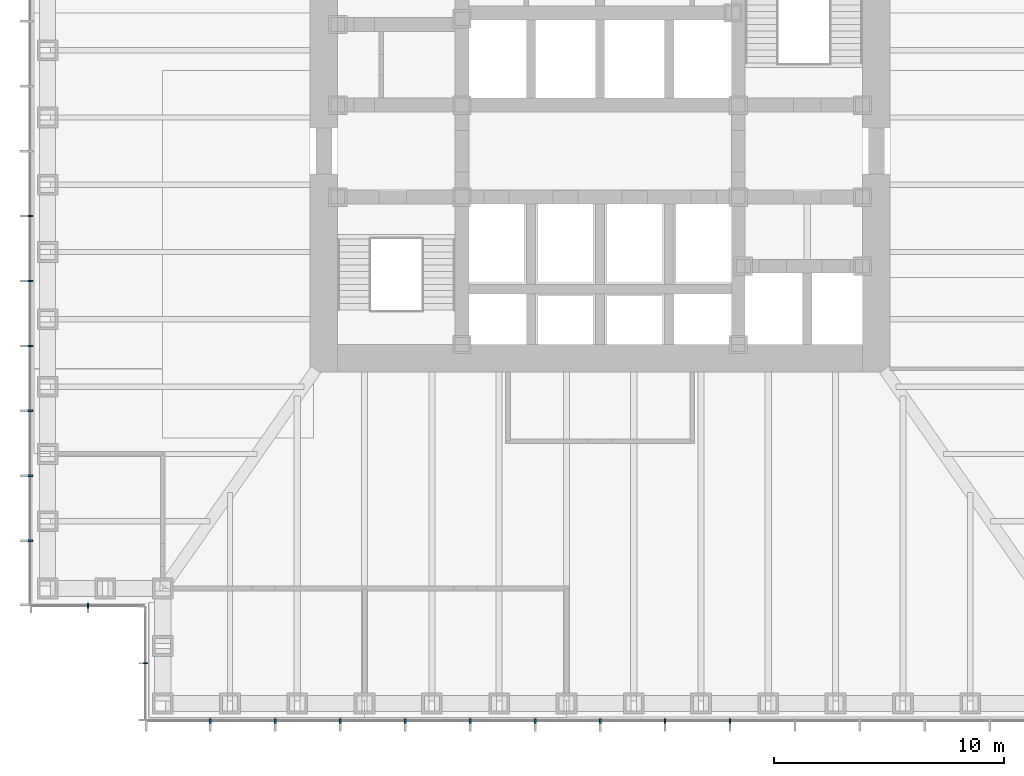
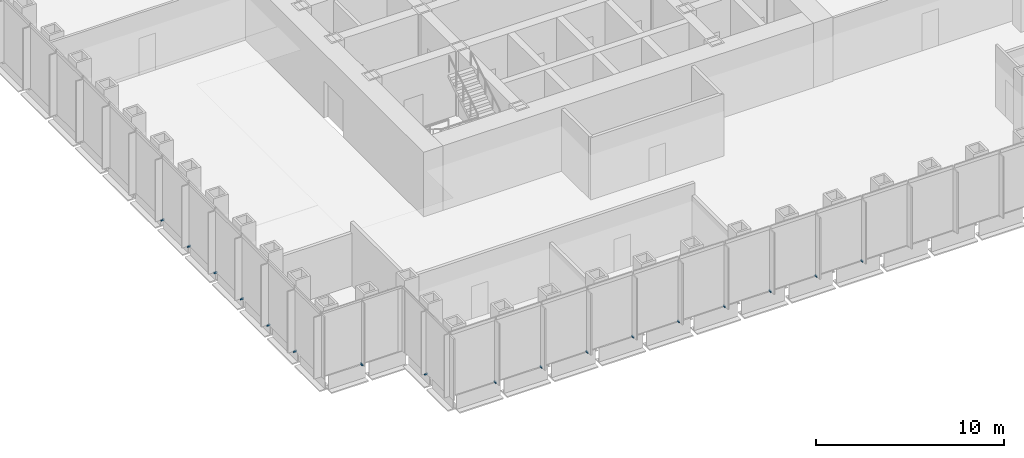
# One storey, part 11 of 16: 17 discrete accessories.
"""IFC4 building model written with IfcOpenShell, lengths in metres."""

from ifc_helpers import new_model, si_unit, direction, frame, origin, origin_2d, place, context, subcontext, project, spatial, rectangle, extrude, element, save


model = new_model("IFC4")

# Units and contexts
model_context = context("Model", 3, precision=1e-05, world=origin(), true_north=direction((0.0, 1.0)))
body_context = subcontext(model_context, "Body", "Model", "MODEL_VIEW")
ifc_project = project(units=[si_unit("LENGTHUNIT", "METRE"), si_unit("AREAUNIT", "SQUARE_METRE"), si_unit("VOLUMEUNIT", "CUBIC_METRE"), si_unit("PLANEANGLEUNIT", "RADIAN"), si_unit("MASSUNIT", "GRAM", prefix="KILO")], contexts=[model_context])

# Site, building, storey
site_placement = place(None, origin())
site = spatial("IfcSite", under=ifc_project, at=site_placement, CompositionType="ELEMENT")
building_placement = place(site_placement, origin())
building = spatial("IfcBuilding", under=site, at=building_placement, Name="Daluyong Arena Tower", CompositionType="ELEMENT")
storey_placement = place(building_placement, frame((0.0, 0.0, 68.5)))
storey = spatial("IfcBuildingStorey", under=building, at=storey_placement, Name="L14", CompositionType="ELEMENT", Elevation=68.5)

# Discrete accessories
for number, where, z_axis, x_axis, name in (
    (1, (39.071533203125, 55.25, -0.10009765625), (0.0, 0.0, 1.0), (1.0, 0.0, 0.0), "curtain wall L14 S anchor bracket 2"),
    (2, (41.892822265625, 55.25, -0.10009765625), (0.0, 0.0, 1.0), (1.0, 0.0, 0.0), "curtain wall L14 S anchor bracket 3"),
    (3, (44.71435546875, 55.25, -0.10009765625), (0.0, 0.0, 1.0), (1.0, 0.0, 0.0), "curtain wall L14 S anchor bracket 4"),
    (4, (47.53564453125, 55.25, -0.10009765625), (0.0, 0.0, 1.0), (1.0, 0.0, 0.0), "curtain wall L14 S anchor bracket 5"),
    (5, (50.357177734375, 55.25, -0.10009765625), (0.0, 0.0, 1.0), (1.0, 0.0, 0.0), "curtain wall L14 S anchor bracket 6"),
    (6, (53.178466796875, 55.25, -0.10009765625), (0.0, 0.0, 1.0), (1.0, 0.0, 0.0), "curtain wall L14 S anchor bracket 7"),
    (7, (56.0, 55.25, -0.10009765625), (0.0, 0.0, 1.0), (1.0, 0.0, 0.0), "curtain wall L14 S anchor bracket 8"),
    (8, (58.821533203125, 55.25, -0.10009765625), (0.0, 0.0, 1.0), (1.0, 0.0, 0.0), "curtain wall L14 S anchor bracket 9"),
    (9, (61.642822265625, 55.25, -0.10009765625), (0.0, 0.0, 1.0), (1.0, 0.0, 0.0), "curtain wall L14 S anchor bracket 10"),
    (10, (31.25, 77.178466796875, -0.10009765625), (0.0, 0.0, 1.0), (0.0, -1.0, 0.0), "curtain wall L14 W anchor bracket 9"),
    (11, (31.25, 74.357177734375, -0.10009765625), (0.0, 0.0, 1.0), (0.0, -1.0, 0.0), "curtain wall L14 W anchor bracket 10"),
    (12, (31.25, 71.53564453125, -0.10009765625), (0.0, 0.0, 1.0), (0.0, -1.0, 0.0), "curtain wall L14 W anchor bracket 11"),
    (13, (31.25, 68.71435546875, -0.10009765625), (0.0, 0.0, 1.0), (0.0, -1.0, 0.0), "curtain wall L14 W anchor bracket 12"),
    (14, (31.25, 65.892822265625, -0.10009765625), (0.0, 0.0, 1.0), (0.0, -1.0, 0.0), "curtain wall L14 W anchor bracket 13"),
    (15, (31.25, 63.071533203125, -0.10009765625), (0.0, 0.0, 1.0), (0.0, -1.0, 0.0), "curtain wall L14 W anchor bracket 14"),
):
    element("IfcDiscreteAccessory", number, at=place(storey_placement, frame(where, z_axis=z_axis, x_axis=x_axis)), inside=storey, Name=name, PredefinedType="BRACKET", context=body_context, shape_type="SweptSolid", body=[
        extrude(rectangle(XDim=0.080078125, YDim=0.199951171875, at=origin_2d()), origin(), (0.0, 0.0, 1.0), 0.10009765625),
    ])
for number, where, z_axis, x_axis, name in (
    (16, (33.75, 60.25, -0.10009765625), (0.0, 0.0, 1.0), (1.0, 0.0, 0.0), "curtain wall L14 SW-S anchor bracket 2"),
    (17, (36.25, 57.75, -0.10009765625), (0.0, 0.0, 1.0), (0.0, -1.0, 0.0), "curtain wall L14 SW-W anchor bracket 2"),
):
    element("IfcDiscreteAccessory", number, at=place(storey_placement, frame(where, z_axis=z_axis, x_axis=x_axis)), inside=storey, Name=name, PredefinedType="BRACKET", context=body_context, shape_type="SweptSolid", body=[
        extrude(rectangle(XDim=0.06005859375, YDim=0.199951171875, at=origin_2d()), origin(), (0.0, 0.0, 1.0), 0.10009765625),
    ])

save(model, "model.ifc")
